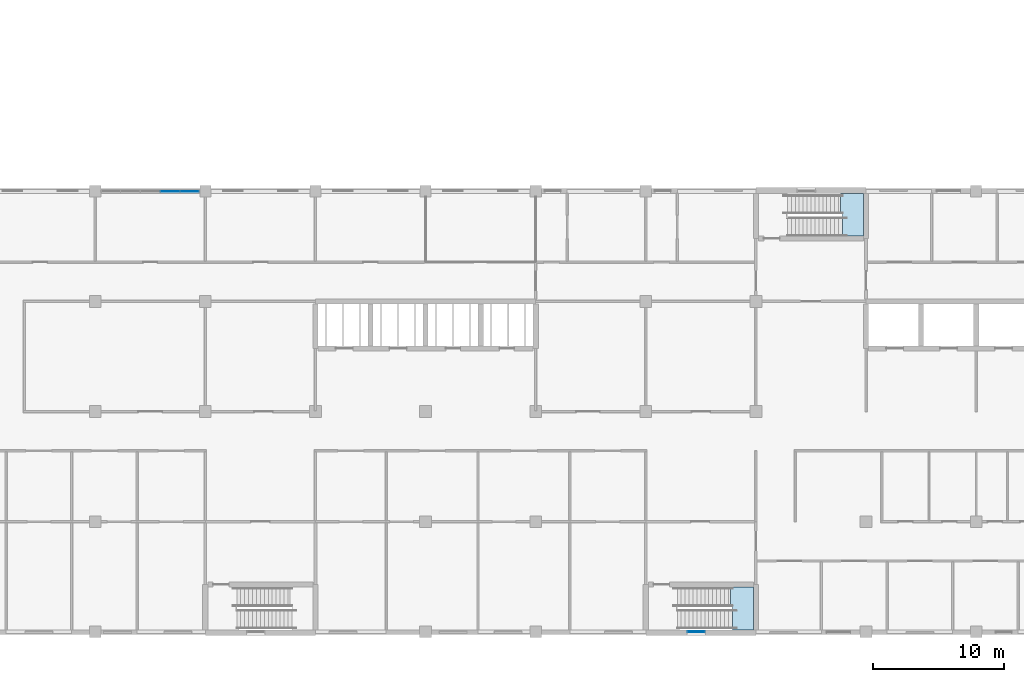
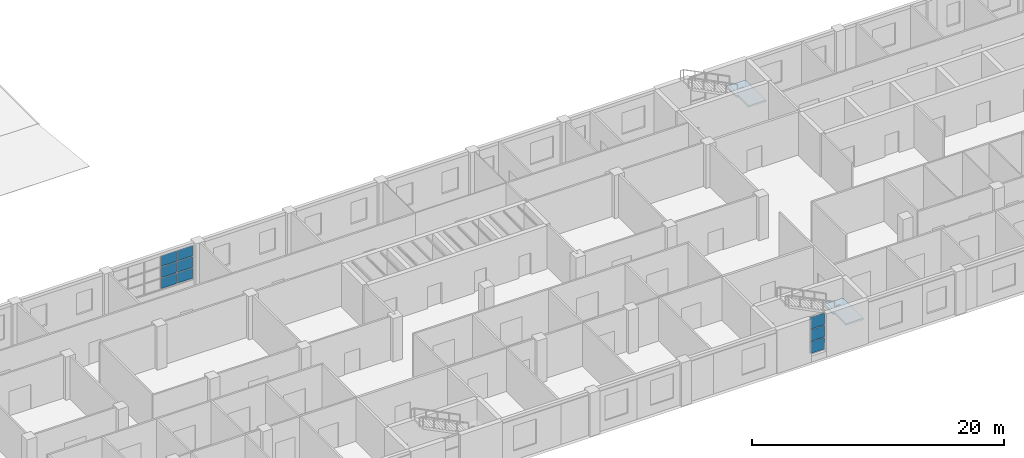
# One storey, part 26 of 66: 9 plates, 2 slabs, 4 elements without a shape of their own.
"""IFC4 building model written with IfcOpenShell, lengths in metres."""

from ifc_helpers import new_model, si_unit, direction, frame, origin, origin_2d, place, context, subcontext, project, spatial, polyline, rectangle, outline, extrude, material, layer, layer_set, type_object, element, aggregate, save


model = new_model("IFC4")

# Units and contexts
model_context = context("Model", 3, precision=1e-05, world=origin(), true_north=direction((0.0, 1.0)))
body_context = subcontext(model_context, "Body", "Model", "MODEL_VIEW")
ifc_project = project(units=[si_unit("LENGTHUNIT", "METRE"), si_unit("AREAUNIT", "SQUARE_METRE"), si_unit("VOLUMEUNIT", "CUBIC_METRE"), si_unit("PLANEANGLEUNIT", "RADIAN"), si_unit("MASSUNIT", "GRAM", prefix="KILO")], contexts=[model_context])

# Site, building, storey
site_placement = place(None, origin())
site = spatial("IfcSite", under=ifc_project, at=site_placement, CompositionType="ELEMENT")
building_placement = place(site_placement, origin())
building = spatial("IfcBuilding", under=site, at=building_placement, Name="Yavir Park General Hospital", CompositionType="ELEMENT")
storey_placement = place(building_placement, frame((0.0, 0.0, 8.39990234375)))
storey = spatial("IfcBuildingStorey", under=building, at=storey_placement, Name="L02", CompositionType="ELEMENT", Elevation=8.39990234375)

# Curtain wall, plates
ifc_material_1 = material(Name="Aluminium curtain wall frame with insulated glazing", Category="aluminium")
curtain_wall_type_1 = type_object("IfcCurtainWallType", Name="Day room pocket glazing, clinical floors, 3300 high, 1400 module", PredefinedType="NOTDEFINED", material=ifc_material_1)
curtain_wall_1_placement = place(storey_placement, origin())
curtain_wall_1 = element("IfcCurtainWall", 1, at=curtain_wall_1_placement, inside=storey, type_object=curtain_wall_type_1, Name="CW58 L02-006", PredefinedType="NOTDEFINED")
ifc_material_2 = material(Name="Solar-control insulated glazed unit 40 mm")
ifc_layer_1 = layer(ifc_material_2, 0.0400390625)
ifc_layer_set_1 = layer_set([ifc_layer_1], Name="Solar-control insulated glazed unit 40 mm")
plate_type_1 = type_object("IfcPlateType", Name="Day room pocket glazing, clinical floors, 3300 high panel 40", PredefinedType="CURTAIN_PANEL", material=ifc_layer_set_1)
plate_1_placement = place(storey_placement, frame((64.510009765625, 33.60009765625, 0.66015625), z_axis=(0.0, 0.0, 1.0), x_axis=(1.0, 0.0, 0.0)))
plate_1 = element("IfcPlate", 2, at=plate_1_placement, type_object=plate_type_1, Name="CW58 panel 4.1", PredefinedType="CURTAIN_PANEL", context=body_context, shape_type="SweptSolid", body=[
    extrude(rectangle(XDim=1.449951171875, YDim=0.0400390625, at=origin_2d()), origin(), (0.0, 0.0, 1.0), 1.010009765625),
])
plate_2_placement = place(storey_placement, frame((64.510009765625, 33.60009765625, 1.72998046875), z_axis=(0.0, 0.0, 1.0), x_axis=(1.0, 0.0, 0.0)))
plate_2 = element("IfcPlate", 3, at=plate_2_placement, type_object=plate_type_1, Name="CW58 panel 4.2", PredefinedType="CURTAIN_PANEL", context=body_context, shape_type="SweptSolid", body=[
    extrude(rectangle(XDim=1.449951171875, YDim=0.0400390625, at=origin_2d()), origin(), (0.0, 0.0, 1.0), 1.0400390625),
])
plate_3_placement = place(storey_placement, frame((64.510009765625, 33.60009765625, 2.830078125), z_axis=(0.0, 0.0, 1.0), x_axis=(1.0, 0.0, 0.0)))
plate_3 = element("IfcPlate", 4, at=plate_3_placement, type_object=plate_type_1, Name="CW58 panel 4.3", PredefinedType="CURTAIN_PANEL", context=body_context, shape_type="SweptSolid", body=[
    extrude(rectangle(XDim=1.449951171875, YDim=0.0400390625, at=origin_2d()), origin(), (0.0, 0.0, 1.0), 1.010009765625),
])
plate_4_placement = place(storey_placement, frame((66.0048828125, 33.60009765625, 0.66015625), z_axis=(0.0, 0.0, 1.0), x_axis=(1.0, 0.0, 0.0)))
plate_4 = element("IfcPlate", 5, at=plate_4_placement, type_object=plate_type_1, Name="CW58 panel 5.1", PredefinedType="CURTAIN_PANEL", context=body_context, shape_type="SweptSolid", body=[
    extrude(rectangle(XDim=1.419921875, YDim=0.0400390625, at=origin_2d()), origin(), (0.0, 0.0, 1.0), 1.010009765625),
])
plate_5_placement = place(storey_placement, frame((66.0048828125, 33.60009765625, 1.72998046875), z_axis=(0.0, 0.0, 1.0), x_axis=(1.0, 0.0, 0.0)))
plate_5 = element("IfcPlate", 6, at=plate_5_placement, type_object=plate_type_1, Name="CW58 panel 5.2", PredefinedType="CURTAIN_PANEL", context=body_context, shape_type="SweptSolid", body=[
    extrude(rectangle(XDim=1.419921875, YDim=0.0400390625, at=origin_2d()), origin(), (0.0, 0.0, 1.0), 1.0400390625),
])
plate_6_placement = place(storey_placement, frame((66.0048828125, 33.60009765625, 2.830078125), z_axis=(0.0, 0.0, 1.0), x_axis=(1.0, 0.0, 0.0)))
plate_6 = element("IfcPlate", 7, at=plate_6_placement, type_object=plate_type_1, Name="CW58 panel 5.3", PredefinedType="CURTAIN_PANEL", context=body_context, shape_type="SweptSolid", body=[
    extrude(rectangle(XDim=1.419921875, YDim=0.0400390625, at=origin_2d()), origin(), (0.0, 0.0, 1.0), 1.010009765625),
])
aggregate(curtain_wall_1, [plate_1, plate_2, plate_3, plate_4, plate_5, plate_6])

# Stair, slab
ifc_material_3 = material(Name="Concrete C30/37", Category="concrete")
stair_type = type_object("IfcStairType", Name="Patient escape stair, 30 risers of 150 mm, 1400 mm flights", PredefinedType="HALF_TURN_STAIR", material=ifc_material_3)
stair_1_placement = place(storey_placement, origin())
stair_1 = element("IfcStair", 8, at=stair_1_placement, inside=storey, type_object=stair_type, Name="Stair SU4, L02 to I02", PredefinedType="HALF_TURN_STAIR")
ifc_material_4 = material(Name="Concrete C30/37", Category="concrete")
ifc_layer_2 = layer(ifc_material_4, 0.159912109375)
ifc_layer_set_2 = layer_set([ifc_layer_2], Name="Concrete C30/37")
slab_type = type_object("IfcSlabType", Name="Patient escape stair half landing, reinforced concrete 160 mm", PredefinedType="LANDING", material=ifc_layer_set_2)
slab_1_placement = place(storey_placement, frame((0.0, 0.0, 2.090087890625)))
slab_1 = element("IfcSlab", 9, at=slab_1_placement, type_object=slab_type, Name="SU4 landing 1", PredefinedType="LANDING", context=body_context, shape_type="SweptSolid", body=[
    extrude(outline(polyline([(107.3984375, 0.14990234375), (109.0, 0.14990234375), (109.0, 3.39990234375), (107.25, 3.39990234375), (107.25, 1.949951171875), (107.3984375, 1.949951171875), (107.3984375, 0.14990234375)])), origin(), (0.0, 0.0, 1.0), 0.159912109375),
])
aggregate(stair_1, [slab_1])

stair_2_placement = place(storey_placement, origin())
stair_2 = element("IfcStair", 10, at=stair_2_placement, inside=storey, type_object=stair_type, Name="Stair PN2, L02 to I02", PredefinedType="HALF_TURN_STAIR")
slab_2_placement = place(storey_placement, frame((0.0, 0.0, 2.090087890625)))
slab_2 = element("IfcSlab", 11, at=slab_2_placement, type_object=slab_type, Name="PN2 landing 1", PredefinedType="LANDING", context=body_context, shape_type="SweptSolid", body=[
    extrude(outline(polyline([(115.798583984375, 30.199951171875), (117.39990234375, 30.199951171875), (117.39990234375, 33.449951171875), (115.64990234375, 33.449951171875), (115.64990234375, 31.89990234375), (115.798583984375, 31.89990234375), (115.798583984375, 30.199951171875)])), origin(), (0.0, 0.0, 1.0), 0.159912109375),
])
aggregate(stair_2, [slab_2])

# Curtain wall, plates
ifc_material_5 = material(Name="Aluminium curtain wall frame with insulated glazing", Category="aluminium")
curtain_wall_type_2 = type_object("IfcCurtainWallType", Name="Stair light slot, podium, 3600 high, 1400 module", PredefinedType="NOTDEFINED", material=ifc_material_5)
curtain_wall_2_placement = place(storey_placement, origin())
curtain_wall_2 = element("IfcCurtainWall", 12, at=curtain_wall_2_placement, inside=storey, type_object=curtain_wall_type_2, Name="CW57 L02-003", PredefinedType="NOTDEFINED")
ifc_material_6 = material(Name="Fire-resisting glazed unit 70 mm")
ifc_layer_3 = layer(ifc_material_6, 0.070068359375)
ifc_layer_set_3 = layer_set([ifc_layer_3], Name="Fire-resisting glazed unit 70 mm")
plate_type_2 = type_object("IfcPlateType", Name="Stair light slot, podium, 3600 high panel 70", PredefinedType="CURTAIN_PANEL", material=ifc_layer_set_3)
plate_7_placement = place(storey_placement, frame((104.64990234375, 0.0, 0.650146484375), z_axis=(0.0, 0.0, 1.0), x_axis=(1.0, 0.0, 0.0)))
plate_7 = element("IfcPlate", 13, at=plate_7_placement, type_object=plate_type_2, Name="CW57 panel 1.1", PredefinedType="CURTAIN_PANEL", context=body_context, shape_type="SweptSolid", body=[
    extrude(rectangle(XDim=1.300048828125, YDim=0.070068359375, at=origin_2d()), origin(), (0.0, 0.0, 1.0), 1.125),
])
plate_8_placement = place(storey_placement, frame((104.64990234375, 0.0, 1.8251953125), z_axis=(0.0, 0.0, 1.0), x_axis=(1.0, 0.0, 0.0)))
plate_8 = element("IfcPlate", 14, at=plate_8_placement, type_object=plate_type_2, Name="CW57 panel 1.2", PredefinedType="CURTAIN_PANEL", context=body_context, shape_type="SweptSolid", body=[
    extrude(rectangle(XDim=1.300048828125, YDim=0.070068359375, at=origin_2d()), origin(), (0.0, 0.0, 1.0), 1.14990234375),
])
plate_9_placement = place(storey_placement, frame((104.64990234375, 0.0, 3.025146484375), z_axis=(0.0, 0.0, 1.0), x_axis=(1.0, 0.0, 0.0)))
plate_9 = element("IfcPlate", 15, at=plate_9_placement, type_object=plate_type_2, Name="CW57 panel 1.3", PredefinedType="CURTAIN_PANEL", context=body_context, shape_type="SweptSolid", body=[
    extrude(rectangle(XDim=1.300048828125, YDim=0.070068359375, at=origin_2d()), origin(), (0.0, 0.0, 1.0), 1.125),
])
aggregate(curtain_wall_2, [plate_7, plate_8, plate_9])

save(model, "model.ifc")
